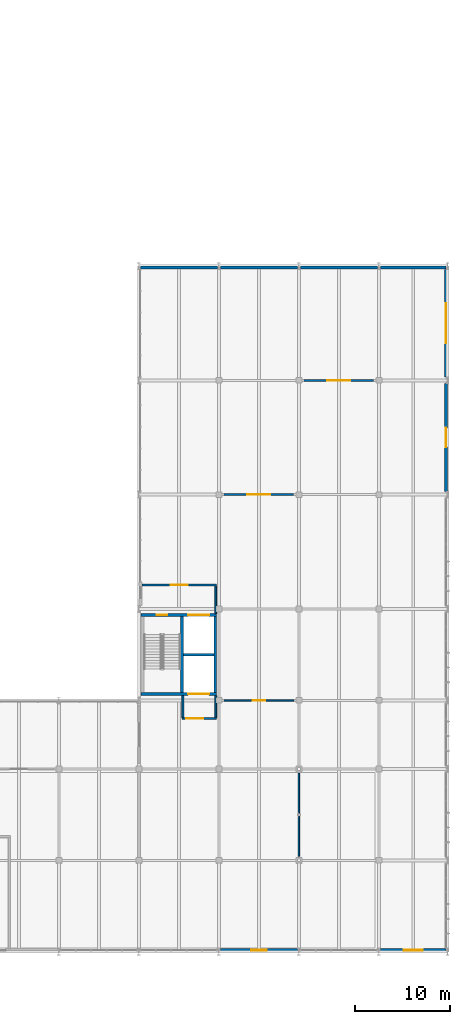
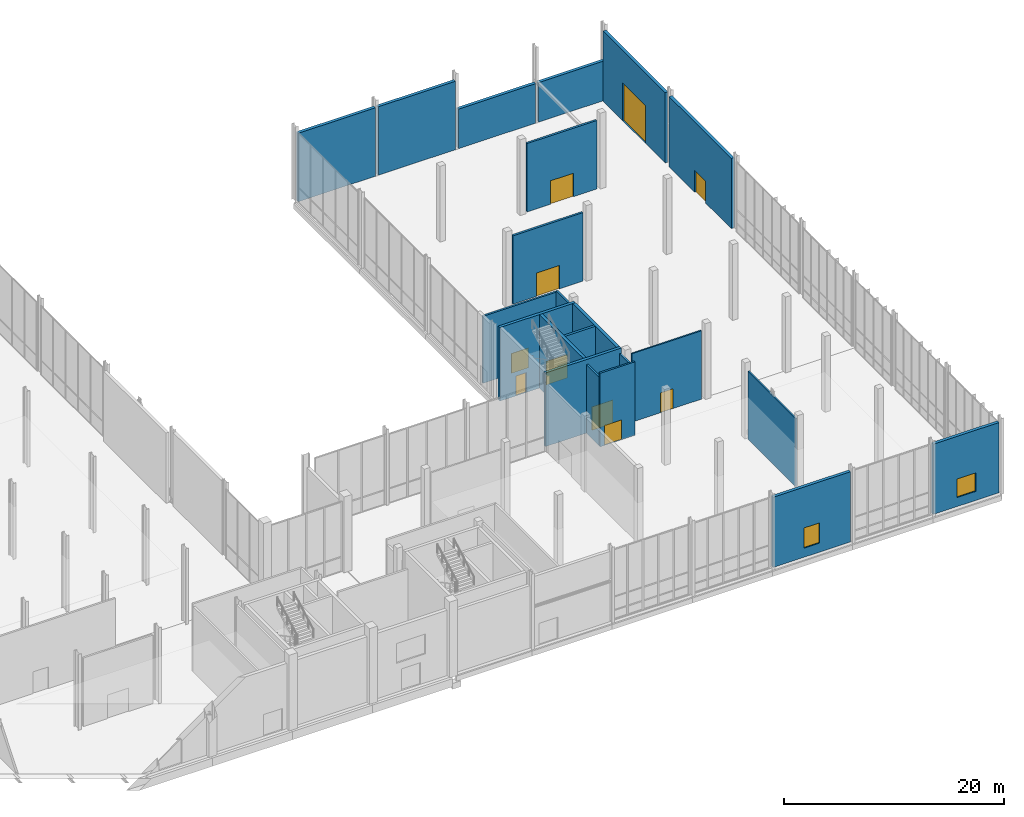
# One storey, part 120 of 131: 22 walls, 10 doors, 2 windows, 12 openings.
"""IFC4 building model written with IfcOpenShell, lengths in metres."""

from ifc_helpers import new_model, si_unit, direction, frame, frame_2d, origin, place, context, subcontext, project, spatial, rectangle, extrude, material, layer, layer_set, type_object, element, fill, save


model = new_model("IFC4")

# Units and contexts
model_context = context("Model", 3, precision=1e-05, world=origin(), true_north=direction((0.0, 1.0)))
body_context = subcontext(model_context, "Body", "Model", "MODEL_VIEW")
ifc_project = project(units=[si_unit("LENGTHUNIT", "METRE"), si_unit("AREAUNIT", "SQUARE_METRE"), si_unit("VOLUMEUNIT", "CUBIC_METRE"), si_unit("PLANEANGLEUNIT", "RADIAN"), si_unit("MASSUNIT", "GRAM", prefix="KILO")], contexts=[model_context])

# Site, building, storey
site_placement = place(None, origin())
site = spatial("IfcSite", under=ifc_project, at=site_placement, CompositionType="ELEMENT")
building_placement = place(site_placement, origin())
building = spatial("IfcBuilding", under=site, at=building_placement, Name="Veltarok Museum of Natural Sciences", CompositionType="ELEMENT")
storey_placement = place(building_placement, origin())
storey = spatial("IfcBuildingStorey", under=building, at=storey_placement, Name="L00", CompositionType="ELEMENT", Elevation=0.0)

# Wall, opening, door
ifc_material_1 = material(Name="Concrete C35/45", Category="concrete")
ifc_layer_1 = layer(ifc_material_1, 0.219970703125)
ifc_layer_set_1 = layer_set([ifc_layer_1], Name="Concrete C35/45")
wall_type_1 = type_object("IfcWallType", Name="Archive Compartment Partition 220", PredefinedType="PARTITIONING", material=ifc_layer_set_1)
wall_1_placement = place(storey_placement, frame((141.35009765625, 48.0, 0.0), z_axis=(0.0, 0.0, 1.0), x_axis=(1.0, 0.0, 0.0)))
wall_1 = element("IfcWall", 1, at=wall_1_placement, inside=storey, type_object=wall_type_1, Name="Interior Partition L00-024", PredefinedType="PARTITIONING", context=body_context, shape_type="SweptSolid", body=[
    extrude(rectangle(XDim=7.2998046875, YDim=0.219970703125, at=frame_2d((3.64990234375, 0.0))), origin(), (0.0, 0.0, 1.0), 7.58203125),
])
opening_1_placement = place(wall_1_placement, frame((2.449951171875, 0.0, 0.0)))
opening_1 = element("IfcOpeningElement", 2, at=opening_1_placement, cuts=wall_1, Name="Opening D-L00-150", PredefinedType="OPENING", context=body_context, shape_type="SweptSolid", body=[
    extrude(rectangle(XDim=2.39990234375, YDim=2.60009765625, at=frame_2d((1.199951171875, 1.300048828125))), frame((0.0, 0.1201171875, 0.0), z_axis=(0.0, -1.0, 0.0), x_axis=(1.0, 0.0, 0.0)), (0.0, 0.0, 1.0), 0.239990234375),
])
ifc_material_2 = material(Name="Heavy fire-rated steel", Category="steel")
door_type_1 = type_object("IfcDoorType", Name="Archive Crate Double Vault Door 2400x2600", OperationType="NOTDEFINED", PredefinedType="DOOR", material=ifc_material_2)
door_1_placement = place(opening_1_placement, origin())
door_1 = element("IfcDoor", 3, at=door_1_placement, inside=storey, type_object=door_type_1, Name="Interior Door D-L00-150", OperationType="DOUBLE_DOOR_SINGLE_SWING", OverallHeight=2.60009765625, OverallWidth=2.39990234375, PredefinedType="DOOR", context=body_context, shape_type="SweptSolid", body=[
    extrude(rectangle(XDim=2.39990234375, YDim=2.60009765625, at=frame_2d((1.199951171875, 1.300048828125))), frame((0.0, 0.02490234375, 0.0), z_axis=(0.0, -1.0, 0.0), x_axis=(1.0, 0.0, 0.0)), (0.0, 0.0, 1.0), 0.050048828125),
])
fill(opening_1, door_1)

wall_2_placement = place(storey_placement, frame((149.75, 60.0, 0.0), z_axis=(0.0, 0.0, 1.0), x_axis=(1.0, 0.0, 0.0)))
wall_2 = element("IfcWall", 4, at=wall_2_placement, inside=storey, type_object=wall_type_1, Name="Interior Partition L00-025", PredefinedType="PARTITIONING", context=body_context, shape_type="SweptSolid", body=[
    extrude(rectangle(XDim=7.300048828125, YDim=0.219970703125, at=frame_2d((3.64990234375, 0.0))), origin(), (0.0, 0.0, 1.0), 7.58203125),
])
opening_2_placement = place(wall_2_placement, frame((2.449951171875, 0.0, 0.0)))
opening_2 = element("IfcOpeningElement", 5, at=opening_2_placement, cuts=wall_2, Name="Opening D-L00-151", PredefinedType="OPENING", context=body_context, shape_type="SweptSolid", body=[
    extrude(rectangle(XDim=2.39990234375, YDim=2.60009765625, at=frame_2d((1.199951171875, 1.300048828125))), frame((0.0, 0.1201171875, 0.0), z_axis=(0.0, -1.0, 0.0), x_axis=(1.0, 0.0, 0.0)), (0.0, 0.0, 1.0), 0.239990234375),
])
door_2_placement = place(opening_2_placement, origin())
door_2 = element("IfcDoor", 6, at=door_2_placement, inside=storey, type_object=door_type_1, Name="Interior Door D-L00-151", OperationType="DOUBLE_DOOR_SINGLE_SWING", OverallHeight=2.60009765625, OverallWidth=2.39990234375, PredefinedType="DOOR", context=body_context, shape_type="SweptSolid", body=[
    extrude(rectangle(XDim=2.39990234375, YDim=2.60009765625, at=frame_2d((1.199951171875, 1.300048828125))), frame((0.0, 0.02490234375, 0.0), z_axis=(0.0, -1.0, 0.0), x_axis=(1.0, 0.0, 0.0)), (0.0, 0.0, 1.0), 0.050048828125),
])
fill(opening_2, door_2)

# Wall
ifc_material_3 = material(Name="Acoustic gypsum and mineral wool")
ifc_layer_2 = layer(ifc_material_3, 0.14990234375)
ifc_layer_set_2 = layer_set([ifc_layer_2], Name="Acoustic gypsum and mineral wool")
wall_type_2 = type_object("IfcWallType", Name="Conservation Laboratory Partition 150", PredefinedType="PARTITIONING", material=ifc_layer_set_2)
wall_3_placement = place(storey_placement, frame((149.199951171875, 10.050048828125, 0.0), z_axis=(0.0, 0.0, 1.0), x_axis=(0.0, 1.0, 0.0)))
element("IfcWall", 7, at=wall_3_placement, inside=storey, type_object=wall_type_2, Name="Braced Frame Enclosure Partition L00 18/B-C", PredefinedType="PARTITIONING", context=body_context, shape_type="SweptSolid", body=[
    extrude(rectangle(XDim=8.699951171875, YDim=0.14990234375, at=frame_2d((4.35009765625, 0.0))), origin(), (0.0, 0.0, 1.0), 7.531982421875),
])

# Wall, opening, door
wall_4_placement = place(storey_placement, frame((141.35009765625, 26.39990234375, 0.0), z_axis=(0.0, 0.0, 1.0), x_axis=(1.0, 0.0, 0.0)))
wall_4 = element("IfcWall", 8, at=wall_4_placement, inside=storey, type_object=wall_type_2, Name="Interior Partition L00-022", PredefinedType="PARTITIONING", context=body_context, shape_type="SweptSolid", body=[
    extrude(rectangle(XDim=7.2998046875, YDim=0.14990234375, at=frame_2d((3.64990234375, 0.0))), origin(), (0.0, 0.0, 1.0), 7.58203125),
])
opening_3_placement = place(wall_4_placement, frame((2.989990234375, 0.0, 0.0)))
opening_3 = element("IfcOpeningElement", 9, at=opening_3_placement, cuts=wall_4, Name="Opening D-L00-148", PredefinedType="OPENING", context=body_context, shape_type="SweptSolid", body=[
    extrude(rectangle(XDim=1.320068359375, YDim=2.199951171875, at=frame_2d((0.66015625, 1.10009765625))), frame((0.0, 0.0849609375, 0.0), z_axis=(0.0, -1.0, 0.0), x_axis=(1.0, 0.0, 0.0)), (0.0, 0.0, 1.0), 0.169921875),
])
ifc_material_4 = material(Name="HPL laboratory acoustic door")
door_type_2 = type_object("IfcDoorType", Name="Conservation Studio Door 1320x2200", OperationType="NOTDEFINED", PredefinedType="DOOR", material=ifc_material_4)
door_3_placement = place(opening_3_placement, origin())
door_3 = element("IfcDoor", 10, at=door_3_placement, inside=storey, type_object=door_type_2, Name="Interior Door D-L00-148", OperationType="SINGLE_SWING_RIGHT", OverallHeight=2.199951171875, OverallWidth=1.320068359375, PredefinedType="DOOR", context=body_context, shape_type="SweptSolid", body=[
    extrude(rectangle(XDim=1.320068359375, YDim=2.199951171875, at=frame_2d((0.66015625, 1.10009765625))), frame((0.0, 0.02490234375, 0.0), z_axis=(0.0, -1.0, 0.0), x_axis=(1.0, 0.0, 0.0)), (0.0, 0.0, 1.0), 0.050048828125),
])
fill(opening_3, door_3)

ifc_layer_3 = layer(ifc_material_1, 0.199951171875)
ifc_layer_set_3 = layer_set([ifc_layer_3], Name="Concrete C35/45")
wall_type_3 = type_object("IfcWallType", Name="Firefighting Lobby Compartment Wall 200", PredefinedType="SOLIDWALL", material=ifc_layer_set_3)
wall_5_placement = place(storey_placement, frame((132.719970703125, 38.5, 0.0), z_axis=(0.0, 0.0, 1.0), x_axis=(1.0, 0.0, 0.0)))
wall_5 = element("IfcWall", 11, at=wall_5_placement, inside=storey, type_object=wall_type_3, Name="Firefighting Lobby Wall C5 L00 N", PredefinedType="SOLIDWALL", context=body_context, shape_type="SweptSolid", body=[
    extrude(rectangle(XDim=7.85009765625, YDim=0.199951171875, at=frame_2d((3.925048828125, 0.0))), origin(), (0.0, 0.0, 1.0), 7.431884765625),
])
opening_4_placement = place(wall_5_placement, frame((3.02490234375, 0.0, 0.0)))
opening_4 = element("IfcOpeningElement", 12, at=opening_4_placement, cuts=wall_5, Name="Opening D-L00-022", PredefinedType="OPENING", context=body_context, shape_type="SweptSolid", body=[
    extrude(rectangle(XDim=1.800048828125, YDim=2.199951171875, at=frame_2d((0.89990234375, 1.10009765625))), frame((0.0, 0.10986328125, 0.0), z_axis=(0.0, -1.0, 0.0), x_axis=(1.0, 0.0, 0.0)), (0.0, 0.0, 1.0), 0.219970703125),
])
ifc_material_5 = material(Name="Fire-rated steel and vision glass", Category="steel")
door_type_3 = type_object("IfcDoorType", Name="Fire Lobby Double Door 1800x2200", OperationType="NOTDEFINED", PredefinedType="DOOR", material=ifc_material_5)
door_4_placement = place(opening_4_placement, origin())
door_4 = element("IfcDoor", 13, at=door_4_placement, inside=storey, type_object=door_type_3, Name="Firefighting Lobby Entrance Door C5 L00", OperationType="DOUBLE_DOOR_SINGLE_SWING", OverallHeight=2.199951171875, OverallWidth=1.800048828125, PredefinedType="DOOR", context=body_context, shape_type="SweptSolid", body=[
    extrude(rectangle(XDim=1.800048828125, YDim=2.199951171875, at=frame_2d((0.89990234375, 1.10009765625))), frame((0.0, 0.02490234375, 0.0), z_axis=(0.0, -1.0, 0.0), x_axis=(1.0, 0.0, 0.0)), (0.0, 0.0, 1.0), 0.050048828125),
])
fill(opening_4, door_4)

# Wall
wall_6_placement = place(storey_placement, frame((140.469970703125, 38.39990234375, 0.0), z_axis=(0.0, 0.0, 1.0), x_axis=(0.0, -1.0, 0.0)))
element("IfcWall", 14, at=wall_6_placement, inside=storey, type_object=wall_type_3, Name="Firefighting Lobby Wall C5 L00 E", PredefinedType="SOLIDWALL", context=body_context, shape_type="SweptSolid", body=[
    extrude(rectangle(XDim=2.89990234375, YDim=0.199951171875, at=frame_2d((1.449951171875, 0.0))), origin(), (0.0, 0.0, 1.0), 7.58203125),
])

# Wall, opening, door
wall_7_placement = place(storey_placement, frame((140.570068359375, 24.5, 0.0), z_axis=(0.0, 0.0, 1.0), x_axis=(-1.0, 0.0, 0.0)))
wall_7 = element("IfcWall", 15, at=wall_7_placement, inside=storey, type_object=wall_type_3, Name="South Freight Lift Lobby Wall C5S L00 S", PredefinedType="SOLIDWALL", context=body_context, shape_type="SweptSolid", body=[
    extrude(rectangle(XDim=3.650146484375, YDim=0.199951171875, at=frame_2d((1.8251953125, 0.0))), origin(), (0.0, 0.0, 1.0), 8.135009765625),
])
opening_5_placement = place(wall_7_placement, frame((1.39990234375, 0.0, 0.0)))
opening_5 = element("IfcOpeningElement", 16, at=opening_5_placement, cuts=wall_7, Name="Opening D-L00-023", PredefinedType="OPENING", context=body_context, shape_type="SweptSolid", body=[
    extrude(rectangle(XDim=1.800048828125, YDim=2.199951171875, at=frame_2d((0.89990234375, 1.10009765625))), frame((0.0, 0.10986328125, 0.0), z_axis=(0.0, -1.0, 0.0), x_axis=(1.0, 0.0, 0.0)), (0.0, 0.0, 1.0), 0.219970703125),
])
door_5_placement = place(opening_5_placement, origin())
door_5 = element("IfcDoor", 17, at=door_5_placement, inside=storey, type_object=door_type_3, Name="Freight Lift Lobby Door C5S L00", OperationType="DOUBLE_DOOR_SINGLE_SWING", OverallHeight=2.199951171875, OverallWidth=1.800048828125, PredefinedType="DOOR", context=body_context, shape_type="SweptSolid", body=[
    extrude(rectangle(XDim=1.800048828125, YDim=2.199951171875, at=frame_2d((0.89990234375, 1.10009765625))), frame((0.0, 0.02490234375, 0.0), z_axis=(0.0, -1.0, 0.0), x_axis=(1.0, 0.0, 0.0)), (0.0, 0.0, 1.0), 0.050048828125),
])
fill(opening_5, door_5)

# Walls
for number, where, z_axis, x_axis, name in (
    (18, (137.02001953125, 24.60009765625, 0.0), (0.0, 0.0, 1.0), (0.0, 1.0, 0.0), "South Freight Lift Lobby Wall C5S L00 W"),
    (19, (140.469970703125, 26.89990234375, 0.0), (0.0, 0.0, 1.0), (0.0, -1.0, 0.0), "South Freight Lift Lobby Wall C5S L00 E"),
):
    element("IfcWall", number, at=place(storey_placement, frame(where, z_axis=z_axis, x_axis=x_axis)), inside=storey, type_object=wall_type_3, Name=name, PredefinedType="SOLIDWALL", context=body_context, shape_type="SweptSolid", body=[
        extrude(rectangle(XDim=2.2998046875, YDim=0.199951171875, at=frame_2d((1.14990234375, 0.0))), origin(), (0.0, 0.0, 1.0), 7.58203125),
    ])

# Wall, opening, window
ifc_material_6 = material(Name="Precast concrete C40/50", Category="concrete")
ifc_layer_4 = layer(ifc_material_6, 0.320068359375)
ifc_layer_set_4 = layer_set([ifc_layer_4], Name="Precast concrete C40/50")
wall_type_4 = type_object("IfcWallType", Name="Insulated Precast Facade Wall 320", PredefinedType="SOLIDWALL", material=ifc_layer_set_4)
wall_8_placement = place(storey_placement, frame((140.949951171875, 0.159912109375, 0.0), z_axis=(0.0, 0.0, 1.0), x_axis=(1.0, 0.0, 0.0)))
wall_8 = element("IfcWall", 20, at=wall_8_placement, inside=storey, type_object=wall_type_4, Name="V5 South Lab Facade Wall L00 17-18", PredefinedType="SOLIDWALL", context=body_context, shape_type="SweptSolid", body=[
    extrude(rectangle(XDim=8.10009765625, YDim=0.320068359375, at=frame_2d((4.050048828125, 0.0))), origin(), (0.0, 0.0, 1.0), 7.780029296875),
])
opening_6_placement = place(wall_8_placement, frame((3.22509765625, 0.0, 1.0)))
opening_6 = element("IfcOpeningElement", 21, at=opening_6_placement, cuts=wall_8, Name="Opening W-L00-015", PredefinedType="OPENING", context=body_context, shape_type="SweptSolid", body=[
    extrude(rectangle(XDim=1.64990234375, YDim=2.25, at=frame_2d((0.824951171875, 1.125))), frame((0.0, 0.169921875, 0.0), z_axis=(0.0, -1.0, 0.0), x_axis=(1.0, 0.0, 0.0)), (0.0, 0.0, 1.0), 0.340087890625),
])
ifc_material_7 = material(Name="Low-iron triple insulated glass", Category="glass")
window_type_1 = type_object("IfcWindowType", Name="Gallery Daylight Window 1650x2250", PartitioningType="SINGLE_PANEL", PredefinedType="WINDOW", material=ifc_material_7)
window_1_placement = place(opening_6_placement, origin())
window_1 = element("IfcWindow", 22, at=window_1_placement, inside=storey, type_object=window_type_1, Name="Lab Window L00 17-18", OverallHeight=2.25, OverallWidth=1.64990234375, PartitioningType="SINGLE_PANEL", PredefinedType="WINDOW", context=body_context, shape_type="SweptSolid", body=[
    extrude(rectangle(XDim=1.64990234375, YDim=2.25, at=frame_2d((0.824951171875, 1.125))), frame((0.0, 0.030029296875, 0.0), z_axis=(0.0, -1.0, 0.0), x_axis=(1.0, 0.0, 0.0)), (0.0, 0.0, 1.0), 0.06005859375),
])
fill(opening_6, window_1)

wall_9_placement = place(storey_placement, frame((157.75, 0.159912109375, 0.0), z_axis=(0.0, 0.0, 1.0), x_axis=(1.0, 0.0, 0.0)))
wall_9 = element("IfcWall", 23, at=wall_9_placement, inside=storey, type_object=wall_type_4, Name="V5 South Lab Facade Wall L00 19-20", PredefinedType="SOLIDWALL", context=body_context, shape_type="SweptSolid", body=[
    extrude(rectangle(XDim=6.89990234375, YDim=0.320068359375, at=frame_2d((3.449951171875, 0.0))), origin(), (0.0, 0.0, 1.0), 7.780029296875),
])
opening_7_placement = place(wall_9_placement, frame((2.449951171875, 0.0, 1.0)))
opening_7 = element("IfcOpeningElement", 24, at=opening_7_placement, cuts=wall_9, Name="Opening W-L00-016", PredefinedType="OPENING", context=body_context, shape_type="SweptSolid", body=[
    extrude(rectangle(XDim=2.0, YDim=2.050048828125, at=frame_2d((1.0, 1.02490234375))), frame((0.0, 0.169921875, 0.0), z_axis=(0.0, -1.0, 0.0), x_axis=(1.0, 0.0, 0.0)), (0.0, 0.0, 1.0), 0.340087890625),
])
window_type_2 = type_object("IfcWindowType", Name="Conservation Studio Window 2000x2050", PartitioningType="SINGLE_PANEL", PredefinedType="WINDOW", material=ifc_material_7)
window_2_placement = place(opening_7_placement, origin())
window_2 = element("IfcWindow", 25, at=window_2_placement, inside=storey, type_object=window_type_2, Name="Lab Window L00 19-20", OverallHeight=2.050048828125, OverallWidth=2.0, PartitioningType="SINGLE_PANEL", PredefinedType="WINDOW", context=body_context, shape_type="SweptSolid", body=[
    extrude(rectangle(XDim=2.0, YDim=2.050048828125, at=frame_2d((1.0, 1.02490234375))), frame((0.0, 0.030029296875, 0.0), z_axis=(0.0, -1.0, 0.0), x_axis=(1.0, 0.0, 0.0)), (0.0, 0.0, 1.0), 0.06005859375),
])
fill(opening_7, window_2)

# Wall, opening, door
wall_10_placement = place(storey_placement, frame((164.639892578125, 48.35009765625, 0.0), z_axis=(0.0, 0.0, 1.0), x_axis=(0.0, 1.0, 0.0)))
wall_10 = element("IfcWall", 26, at=wall_10_placement, inside=storey, type_object=wall_type_4, Name="East Logistics Corridor Escape Wall", PredefinedType="SOLIDWALL", context=body_context, shape_type="SweptSolid", body=[
    extrude(rectangle(XDim=11.2998046875, YDim=0.320068359375, at=frame_2d((5.64990234375, 0.0))), origin(), (0.0, 0.0, 1.0), 7.780029296875),
])
opening_8_placement = place(wall_10_placement, frame((4.64990234375, 0.0, 0.0)))
opening_8 = element("IfcOpeningElement", 27, at=opening_8_placement, cuts=wall_10, Name="Opening E-10", PredefinedType="OPENING", context=body_context, shape_type="SweptSolid", body=[
    extrude(rectangle(XDim=2.0, YDim=2.39990234375, at=frame_2d((1.0, 1.199951171875))), frame((0.0, 0.169921875, 0.0), z_axis=(0.0, -1.0, 0.0), x_axis=(1.0, 0.0, 0.0)), (0.0, 0.0, 1.0), 0.340087890625),
])
ifc_material_8 = material(Name="Insulated steel and safety glass", Category="steel")
door_type_4 = type_object("IfcDoorType", Name="Double Escape Discharge Door 2000x2400", OperationType="NOTDEFINED", PredefinedType="DOOR", material=ifc_material_8)
door_6_placement = place(opening_8_placement, frame((2.0, 0.0, 0.0), z_axis=(0.0, 0.0, 1.0), x_axis=(-1.0, 0.0, 0.0)))
door_6 = element("IfcDoor", 28, at=door_6_placement, inside=storey, type_object=door_type_4, Name="Pedestrian Final Exit E-10 East Service Lane", OperationType="DOUBLE_DOOR_SINGLE_SWING", OverallHeight=2.39990234375, OverallWidth=2.0, PredefinedType="DOOR", context=body_context, shape_type="SweptSolid", body=[
    extrude(rectangle(XDim=2.0, YDim=2.39990234375, at=frame_2d((1.0, 1.199951171875))), frame((0.0, 0.02490234375, 0.0), z_axis=(0.0, -1.0, 0.0), x_axis=(1.0, 0.0, 0.0)), (0.0, 0.0, 1.0), 0.050048828125),
])
fill(opening_8, door_6)

wall_11_placement = place(storey_placement, frame((164.639892578125, 60.35009765625, 0.0), z_axis=(0.0, 0.0, 1.0), x_axis=(0.0, 1.0, 0.0)))
wall_11 = element("IfcWall", 29, at=wall_11_placement, inside=storey, type_object=wall_type_4, Name="East Service Lane Art Loading Dock Wall", PredefinedType="SOLIDWALL", context=body_context, shape_type="SweptSolid", body=[
    extrude(rectangle(XDim=11.2998046875, YDim=0.320068359375, at=frame_2d((5.64990234375, 0.0))), origin(), (0.0, 0.0, 1.0), 7.780029296875),
])
opening_9_placement = place(wall_11_placement, frame((3.550048828125, 0.0, 0.0)))
opening_9 = element("IfcOpeningElement", 30, at=opening_9_placement, cuts=wall_11, Name="Opening RS-01", PredefinedType="OPENING", context=body_context, shape_type="SweptSolid", body=[
    extrude(rectangle(XDim=4.199951171875, YDim=4.199951171875, at=frame_2d((2.10009765625, 2.10009765625))), frame((0.0, 0.169921875, 0.0), z_axis=(0.0, -1.0, 0.0), x_axis=(1.0, 0.0, 0.0)), (0.0, 0.0, 1.0), 0.340087890625),
])
ifc_material_9 = material(Name="Insulated galvanized steel slats", Category="steel")
door_type_5 = type_object("IfcDoorType", Name="Insulated Art Dock Roller Shutter 4200x4200", OperationType="SLIDING_TO_LEFT", PredefinedType="DOOR", material=ifc_material_9)
door_7_placement = place(opening_9_placement, origin())
door_7 = element("IfcDoor", 31, at=door_7_placement, inside=storey, type_object=door_type_5, Name="Art Loading Dock Roller Shutter RS-01", OperationType="SLIDING_TO_LEFT", OverallHeight=4.199951171875, OverallWidth=4.199951171875, PredefinedType="DOOR", context=body_context, shape_type="SweptSolid", body=[
    extrude(rectangle(XDim=4.199951171875, YDim=4.199951171875, at=frame_2d((2.10009765625, 2.10009765625))), frame((0.0, 0.02490234375, 0.0), z_axis=(0.0, -1.0, 0.0), x_axis=(1.0, 0.0, 0.0)), (0.0, 0.0, 1.0), 0.050048828125),
])
fill(opening_9, door_7)

# Walls
wall_12_placement = place(storey_placement, frame((140.64990234375, 71.840087890625, 0.0), z_axis=(0.0, 0.0, 1.0), x_axis=(-1.0, 0.0, 0.0)))
element("IfcWall", 32, at=wall_12_placement, inside=storey, type_object=wall_type_4, Name="East Wing North Logistics Wall L00 16-17", PredefinedType="SOLIDWALL", context=body_context, shape_type="SweptSolid", body=[
    extrude(rectangle(XDim=8.099853515625, YDim=0.320068359375, at=frame_2d((4.0498046875, 0.0))), origin(), (0.0, 0.0, 1.0), 7.58203125),
])
wall_13_placement = place(storey_placement, frame((149.050048828125, 71.840087890625, 0.0), z_axis=(0.0, 0.0, 1.0), x_axis=(-1.0, 0.0, 0.0)))
element("IfcWall", 33, at=wall_13_placement, inside=storey, type_object=wall_type_4, Name="East Wing North Logistics Wall L00 17-18", PredefinedType="SOLIDWALL", context=body_context, shape_type="SweptSolid", body=[
    extrude(rectangle(XDim=8.10009765625, YDim=0.320068359375, at=frame_2d((4.050048828125, 0.0))), origin(), (0.0, 0.0, 1.0), 7.58203125),
])
wall_14_placement = place(storey_placement, frame((157.449951171875, 71.840087890625, 0.0), z_axis=(0.0, 0.0, 1.0), x_axis=(-1.0, 0.0, 0.0)))
element("IfcWall", 34, at=wall_14_placement, inside=storey, type_object=wall_type_4, Name="East Wing North Logistics Wall L00 18-19", PredefinedType="SOLIDWALL", context=body_context, shape_type="SweptSolid", body=[
    extrude(rectangle(XDim=8.099853515625, YDim=0.320068359375, at=frame_2d((4.0498046875, 0.0))), origin(), (0.0, 0.0, 1.0), 4.382080078125),
])
wall_15_placement = place(storey_placement, frame((164.64990234375, 71.840087890625, 0.0), z_axis=(0.0, 0.0, 1.0), x_axis=(-1.0, 0.0, 0.0)))
element("IfcWall", 35, at=wall_15_placement, inside=storey, type_object=wall_type_4, Name="East Wing North Logistics Wall L00 19-20", PredefinedType="SOLIDWALL", context=body_context, shape_type="SweptSolid", body=[
    extrude(rectangle(XDim=6.89990234375, YDim=0.320068359375, at=frame_2d((3.449951171875, 0.0))), origin(), (0.0, 0.0, 1.0), 4.382080078125),
])
ifc_material_10 = material(Name="Concrete C40/50", Category="concrete")
ifc_layer_5 = layer(ifc_material_10, 0.25)
ifc_layer_set_5 = layer_set([ifc_layer_5], Name="Concrete C40/50")
wall_type_5 = type_object("IfcWallType", Name="Lift Shaft Concrete Shear Wall 250", PredefinedType="SHEAR", material=ifc_layer_set_5)
wall_16_placement = place(storey_placement, frame((137.070068359375, 31.175048828125, 0.0), z_axis=(0.0, 0.0, 1.0), x_axis=(1.0, 0.0, 0.0)))
element("IfcWall", 36, at=wall_16_placement, inside=storey, type_object=wall_type_5, Name="Lift Shaft Divider Wall C5 L00", PredefinedType="SHEAR", context=body_context, shape_type="SweptSolid", body=[
    extrude(rectangle(XDim=3.199951171875, YDim=0.25, at=frame_2d((1.60009765625, 0.0))), origin(), (0.0, 0.0, 1.0), 8.14990234375),
])

# Wall, opening, door
ifc_layer_6 = layer(ifc_material_10, 0.300048828125)
ifc_layer_set_6 = layer_set([ifc_layer_6], Name="Concrete C40/50")
wall_type_6 = type_object("IfcWallType", Name="Protected Core Shear Wall 300", PredefinedType="SHEAR", material=ifc_layer_set_6)
wall_17_placement = place(storey_placement, frame((132.6298828125, 27.050048828125, 0.0), z_axis=(0.0, 0.0, 1.0), x_axis=(1.0, 0.0, 0.0)))
wall_17 = element("IfcWall", 37, at=wall_17_placement, inside=storey, type_object=wall_type_6, Name="Core Shear Wall C5 L00 S", PredefinedType="SHEAR", context=body_context, shape_type="SweptSolid", body=[
    extrude(rectangle(XDim=7.940185546875, YDim=0.300048828125, at=frame_2d((3.97021484375, 0.0))), origin(), (0.0, 0.0, 1.0), 8.14990234375),
])
opening_10_placement = place(wall_17_placement, frame((4.93994140625, 0.0, 0.0)))
opening_10 = element("IfcOpeningElement", 38, at=opening_10_placement, cuts=wall_17, Name="Opening LD-L00-GL-01", PredefinedType="OPENING", context=body_context, shape_type="SweptSolid", body=[
    extrude(rectangle(XDim=2.199951171875, YDim=2.60009765625, at=frame_2d((1.10009765625, 1.300048828125))), frame((0.0, 0.16015625, 0.0), z_axis=(0.0, -1.0, 0.0), x_axis=(1.0, 0.0, 0.0)), (0.0, 0.0, 1.0), 0.320068359375),
])
ifc_material_11 = material(Name="Heavy stainless steel", Category="steel")
door_type_6 = type_object("IfcDoorType", Name="Art Freight Lift Bi-Parting Landing Door 2200x2600", OperationType="SLIDING_TO_LEFT", PredefinedType="DOOR", material=ifc_material_11)
door_8_placement = place(opening_10_placement, origin())
door_8 = element("IfcDoor", 39, at=door_8_placement, inside=storey, type_object=door_type_6, Name="Sliding Lift Landing Door LD-L00-GL-01", OperationType="SLIDING_TO_LEFT", OverallHeight=2.60009765625, OverallWidth=2.199951171875, PredefinedType="DOOR", context=body_context, shape_type="SweptSolid", body=[
    extrude(rectangle(XDim=2.199951171875, YDim=2.60009765625, at=frame_2d((1.10009765625, 1.300048828125))), frame((0.0, 0.02490234375, 0.0), z_axis=(0.0, -1.0, 0.0), x_axis=(1.0, 0.0, 0.0)), (0.0, 0.0, 1.0), 0.050048828125),
])
fill(opening_10, door_8)

# Wall, openings, doors
wall_18_placement = place(storey_placement, frame((140.570068359375, 35.35009765625, 0.0), z_axis=(0.0, 0.0, 1.0), x_axis=(-1.0, 0.0, 0.0)))
wall_18 = element("IfcWall", 40, at=wall_18_placement, inside=storey, type_object=wall_type_6, Name="Core Shear Wall C5 L00 N", PredefinedType="SHEAR", context=body_context, shape_type="SweptSolid", body=[
    extrude(rectangle(XDim=7.940185546875, YDim=0.300048828125, at=frame_2d((3.97021484375, 0.0))), origin(), (0.0, 0.0, 1.0), 8.14990234375),
])
opening_11_placement = place(wall_18_placement, frame((5.169921875, 0.0, 0.0)))
opening_11 = element("IfcOpeningElement", 41, at=opening_11_placement, cuts=wall_18, Name="Opening D-L00-021", PredefinedType="OPENING", context=body_context, shape_type="SweptSolid", body=[
    extrude(rectangle(XDim=1.10009765625, YDim=2.199951171875, at=frame_2d((0.550048828125, 1.10009765625))), frame((0.0, 0.16015625, 0.0), z_axis=(0.0, -1.0, 0.0), x_axis=(1.0, 0.0, 0.0)), (0.0, 0.0, 1.0), 0.320068359375),
])
opening_12_placement = place(wall_18_placement, frame((0.800048828125, 0.0, 0.0)))
opening_12 = element("IfcOpeningElement", 42, at=opening_12_placement, cuts=wall_18, Name="Opening LD-L00-GL-02", PredefinedType="OPENING", context=body_context, shape_type="SweptSolid", body=[
    extrude(rectangle(XDim=2.199951171875, YDim=2.60009765625, at=frame_2d((1.10009765625, 1.300048828125))), frame((0.0, 0.16015625, 0.0), z_axis=(0.0, -1.0, 0.0), x_axis=(1.0, 0.0, 0.0)), (0.0, 0.0, 1.0), 0.320068359375),
])
door_9_placement = place(opening_12_placement, origin())
door_9 = element("IfcDoor", 43, at=door_9_placement, inside=storey, type_object=door_type_6, Name="Sliding Lift Landing Door LD-L00-GL-02", OperationType="SLIDING_TO_LEFT", OverallHeight=2.60009765625, OverallWidth=2.199951171875, PredefinedType="DOOR", context=body_context, shape_type="SweptSolid", body=[
    extrude(rectangle(XDim=2.199951171875, YDim=2.60009765625, at=frame_2d((1.10009765625, 1.300048828125))), frame((0.0, 0.02490234375, 0.0), z_axis=(0.0, -1.0, 0.0), x_axis=(1.0, 0.0, 0.0)), (0.0, 0.0, 1.0), 0.050048828125),
])
fill(opening_12, door_9)
ifc_material_12 = material(Name="Fire-rated painted steel", Category="steel")
door_type_7 = type_object("IfcDoorType", Name="Fire Core Single Escape Door 1100x2200", OperationType="NOTDEFINED", PredefinedType="DOOR", material=ifc_material_12)
door_10_placement = place(opening_11_placement, origin())
door_10 = element("IfcDoor", 44, at=door_10_placement, inside=storey, type_object=door_type_7, Name="Protected Stair Door ST-05 L00", OperationType="SINGLE_SWING_LEFT", OverallHeight=2.199951171875, OverallWidth=1.10009765625, PredefinedType="DOOR", context=body_context, shape_type="SweptSolid", body=[
    extrude(rectangle(XDim=1.10009765625, YDim=2.199951171875, at=frame_2d((0.550048828125, 1.10009765625))), frame((0.0, 0.02490234375, 0.0), z_axis=(0.0, -1.0, 0.0), x_axis=(1.0, 0.0, 0.0)), (0.0, 0.0, 1.0), 0.050048828125),
])
fill(opening_11, door_10)

# Walls
for number, where, z_axis, x_axis, name in (
    (45, (140.419921875, 27.199951171875, 0.0), (0.0, 0.0, 1.0), (0.0, 1.0, 0.0), "Core Shear Wall C5 L00 E"),
    (46, (136.919921875, 27.199951171875, 0.0), (0.0, 0.0, 1.0), (0.0, 1.0, 0.0), "Core Shear Wall C5 L00 DIV"),
):
    element("IfcWall", number, at=place(storey_placement, frame(where, z_axis=z_axis, x_axis=x_axis)), inside=storey, type_object=wall_type_6, Name=name, PredefinedType="SHEAR", context=body_context, shape_type="SweptSolid", body=[
        extrude(rectangle(XDim=8.0, YDim=0.300048828125, at=frame_2d((4.0, 0.0))), origin(), (0.0, 0.0, 1.0), 8.14990234375),
    ])

save(model, "model.ifc")
